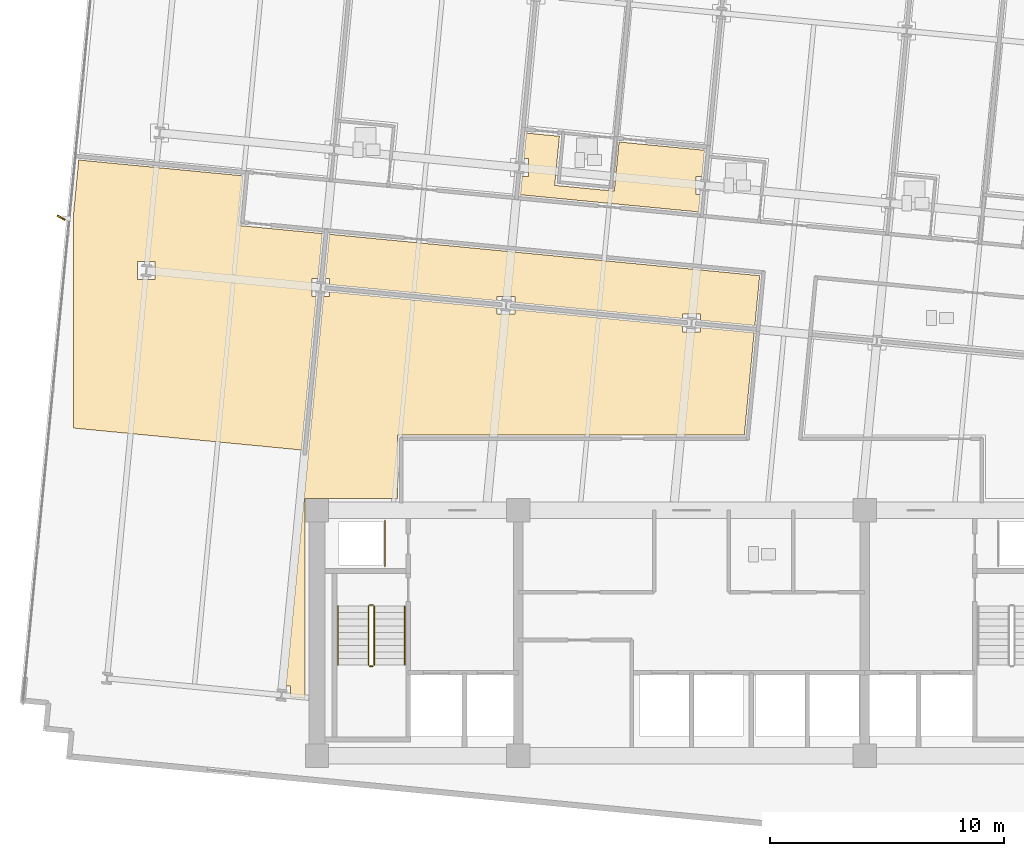
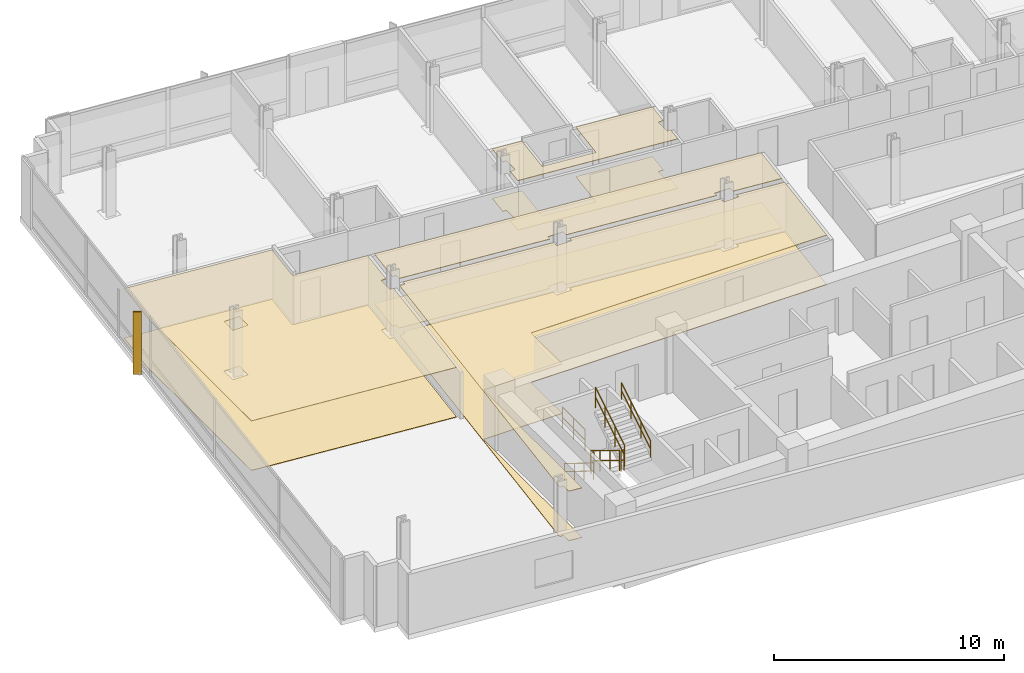
# One storey, part 14 of 17: 8 coverings, 7 railings, 1 shading device.
"""IFC4 building model written with IfcOpenShell, lengths in metres."""

from ifc_helpers import new_model, si_unit, direction, frame, origin, origin_2d, place, context, subcontext, project, spatial, polyline, rectangle, circle, outline, extrude, material, layer, layer_set, type_object, element, save


model = new_model("IFC4")

# Units and contexts
model_context = context("Model", 3, precision=1e-05, world=origin(), true_north=direction((0.0, 1.0)))
body_context = subcontext(model_context, "Body", "Model", "MODEL_VIEW")
ifc_project = project(units=[si_unit("LENGTHUNIT", "METRE"), si_unit("AREAUNIT", "SQUARE_METRE"), si_unit("VOLUMEUNIT", "CUBIC_METRE"), si_unit("PLANEANGLEUNIT", "RADIAN"), si_unit("MASSUNIT", "GRAM", prefix="KILO")], contexts=[model_context])

# Site, building, storey
site_placement = place(None, origin())
site = spatial("IfcSite", under=ifc_project, at=site_placement, CompositionType="ELEMENT")
building_placement = place(site_placement, origin())
building = spatial("IfcBuilding", under=site, at=building_placement, Name="Solmavex Isthmus Hotel", CompositionType="ELEMENT")
storey_placement = place(building_placement, frame((0.0, 0.0, 146.25)))
storey = spatial("IfcBuildingStorey", under=building, at=storey_placement, Name="L39", CompositionType="ELEMENT", Elevation=146.25)

# Coverings
ifc_material_1 = material(Name="Gypsum plasterboard lining", Category="gypsum")
ifc_layer_1 = layer(ifc_material_1, 0.030029296875)
ifc_layer_set_1 = layer_set([ifc_layer_1], Name="Gypsum plasterboard lining")
covering_type_1 = type_object("IfcCoveringType", Name="COV-CEIL-GYP", PredefinedType="CEILING", material=ifc_layer_set_1)
covering_1_placement = place(storey_placement, frame((0.0, 0.0, 2.6201171875)))
element("IfcCovering", 1, at=covering_1_placement, inside=storey, type_object=covering_type_1, Name="Suspended Acoustic Ceiling L39-ST03-FY", PredefinedType="CEILING", context=body_context, shape_type="SweptSolid", body=[
    extrude(outline(polyline([(-3.094482421875, 13.2255859375), (-3.296630859375, 11.12744140625), (-5.8447265625, 11.372802734375), (-5.642822265625, 13.470947265625), (-7.05419921875, 13.60693359375), (-7.159423828125, 12.513671875), (-6.971923828125, 12.513671875), (-6.971923828125, 11.753662109375), (-7.232666015625, 11.753662109375), (-7.30810546875, 10.97119140625), (0.302734375, 10.23828125), (0.375244140625, 10.9912109375), (0.1875, 10.9912109375), (0.1875, 11.751220703125), (0.448486328125, 11.751220703125), (0.556640625, 12.8740234375), (-3.094482421875, 13.2255859375)])), origin(), (0.0, 0.0, 1.0), 0.02978515625),
])
covering_2_placement = place(storey_placement, frame((0.0, 0.0, 2.6201171875)))
element("IfcCovering", 2, at=covering_2_placement, inside=storey, type_object=covering_type_1, Name="Suspended Acoustic Ceiling L39-FL09", PredefinedType="CEILING", context=body_context, shape_type="SweptSolid", body=[
    extrude(outline(polyline([(-0.378662109375, 5.6826171875), (-0.378662109375, 5.870361328125), (0.38134765625, 5.870361328125), (0.38134765625, 5.609375), (2.706787109375, 5.385498046875), (2.911865234375, 7.515625), (-15.463134765625, 9.284912109375), (-15.645263671875, 7.3955078125), (-15.45751953125, 7.3955078125), (-15.45751953125, 7.134521484375), (-8.298095703125, 6.445068359375), (-8.298095703125, 6.6328125), (-7.5380859375, 6.6328125), (-7.5380859375, 6.3720703125), (-0.378662109375, 5.6826171875)])), origin(), (0.0, 0.0, 1.0), 0.02978515625),
])
covering_3_placement = place(storey_placement, frame((0.0, 0.0, 2.6201171875)))
element("IfcCovering", 3, at=covering_3_placement, inside=storey, type_object=covering_type_1, Name="Suspended Acoustic Ceiling L39-FL12", PredefinedType="CEILING", context=body_context, shape_type="SweptSolid", body=[
    extrude(outline(polyline([(-16.02978515625, 6.635498046875), (-16.217529296875, 6.635498046875), (-16.217529296875, 7.3955078125), (-15.95654296875, 7.3955078125), (-15.771728515625, 9.314697265625), (-19.355224609375, 9.65966796875), (-19.151123046875, 11.780029296875), (-26.176513671875, 12.45654296875), (-26.39990234375, 10.135986328125), (-26.39990234375, 1.005126953125), (-16.662109375, 0.0673828125), (-16.02978515625, 6.635498046875)]), holes=[polyline([(-23.6708984375, 7.35302734375), (-23.6708984375, 8.113037109375), (-22.910888671875, 8.113037109375), (-22.910888671875, 7.35302734375), (-23.6708984375, 7.35302734375)])]), origin(), (0.0, 0.0, 1.0), 0.02978515625),
])
covering_4_placement = place(storey_placement, frame((0.0, 0.0, 2.6201171875)))
element("IfcCovering", 4, at=covering_4_placement, inside=storey, type_object=covering_type_1, Name="Suspended Acoustic Ceiling L39-FL13", PredefinedType="CEILING", context=body_context, shape_type="SweptSolid", body=[
    extrude(outline(polyline([(-17.322509765625, -10.02392578125), (-17.134765625, -10.02392578125), (-17.134765625, -10.48583984375), (-16.5048828125, -10.54638671875), (-16.5048828125, -1.9951171875), (-12.554931640625, -1.9951171875), (-12.554931640625, 0.705078125), (2.256103515625, 0.705078125), (2.677001953125, 5.076904296875), (0.38134765625, 5.298095703125), (0.38134765625, 5.1103515625), (-0.378662109375, 5.1103515625), (-0.378662109375, 5.37109375), (-7.5380859375, 6.060546875), (-7.5380859375, 5.872802734375), (-8.298095703125, 5.872802734375), (-8.298095703125, 6.1337890625), (-15.45751953125, 6.822998046875), (-15.45751953125, 6.635498046875), (-15.71826171875, 6.635498046875), (-17.322509765625, -10.02392578125)])), origin(), (0.0, 0.0, 1.0), 0.02978515625),
])
ifc_material_2 = material(Name="Travertine natural stone", Category="masonry")
ifc_layer_2 = layer(ifc_material_2, 0.02490234375)
ifc_layer_set_2 = layer_set([ifc_layer_2], Name="Travertine natural stone")
covering_type_2 = type_object("IfcCoveringType", Name="COV-FLOR-STN", PredefinedType="FLOORING", material=ifc_layer_set_2)
covering_5_placement = place(storey_placement, origin())
element("IfcCovering", 5, at=covering_5_placement, inside=storey, type_object=covering_type_2, Name="Stone and Timber Floor Finish L39-ST03-FY", PredefinedType="FLOORING", context=body_context, shape_type="SweptSolid", body=[
    extrude(outline(polyline([(-3.094482421875, 13.2255859375), (-3.296630859375, 11.12744140625), (-5.8447265625, 11.372802734375), (-5.642822265625, 13.470947265625), (-7.05419921875, 13.60693359375), (-7.159423828125, 12.513671875), (-6.971923828125, 12.513671875), (-6.971923828125, 11.753662109375), (-7.232666015625, 11.753662109375), (-7.30810546875, 10.97119140625), (0.302734375, 10.23828125), (0.375244140625, 10.9912109375), (0.1875, 10.9912109375), (0.1875, 11.751220703125), (0.448486328125, 11.751220703125), (0.556640625, 12.8740234375), (-3.094482421875, 13.2255859375)])), origin(), (0.0, 0.0, 1.0), 0.02490234375),
])
covering_6_placement = place(storey_placement, origin())
element("IfcCovering", 6, at=covering_6_placement, inside=storey, type_object=covering_type_2, Name="Stone and Timber Floor Finish L39-FL09", PredefinedType="FLOORING", context=body_context, shape_type="SweptSolid", body=[
    extrude(outline(polyline([(-0.378662109375, 5.6826171875), (-0.378662109375, 5.870361328125), (0.38134765625, 5.870361328125), (0.38134765625, 5.609375), (2.706787109375, 5.385498046875), (2.911865234375, 7.515625), (-15.463134765625, 9.284912109375), (-15.645263671875, 7.3955078125), (-15.45751953125, 7.3955078125), (-15.45751953125, 7.134521484375), (-8.298095703125, 6.445068359375), (-8.298095703125, 6.6328125), (-7.5380859375, 6.6328125), (-7.5380859375, 6.3720703125), (-0.378662109375, 5.6826171875)])), origin(), (0.0, 0.0, 1.0), 0.02490234375),
])
covering_7_placement = place(storey_placement, origin())
element("IfcCovering", 7, at=covering_7_placement, inside=storey, type_object=covering_type_2, Name="Stone and Timber Floor Finish L39-FL12", PredefinedType="FLOORING", context=body_context, shape_type="SweptSolid", body=[
    extrude(outline(polyline([(-16.02978515625, 6.635498046875), (-16.217529296875, 6.635498046875), (-16.217529296875, 7.3955078125), (-15.95654296875, 7.3955078125), (-15.771728515625, 9.314697265625), (-19.355224609375, 9.65966796875), (-19.151123046875, 11.780029296875), (-26.176513671875, 12.45654296875), (-26.39990234375, 10.135986328125), (-26.39990234375, 1.005126953125), (-16.662109375, 0.0673828125), (-16.02978515625, 6.635498046875)]), holes=[polyline([(-23.6708984375, 7.35302734375), (-23.6708984375, 8.113037109375), (-22.910888671875, 8.113037109375), (-22.910888671875, 7.35302734375), (-23.6708984375, 7.35302734375)])]), origin(), (0.0, 0.0, 1.0), 0.02490234375),
])
covering_8_placement = place(storey_placement, origin())
element("IfcCovering", 8, at=covering_8_placement, inside=storey, type_object=covering_type_2, Name="Stone and Timber Floor Finish L39-FL13", PredefinedType="FLOORING", context=body_context, shape_type="SweptSolid", body=[
    extrude(outline(polyline([(-17.322509765625, -10.02392578125), (-17.134765625, -10.02392578125), (-17.134765625, -10.48583984375), (-16.5048828125, -10.54638671875), (-16.5048828125, -1.9951171875), (-12.554931640625, -1.9951171875), (-12.554931640625, 0.705078125), (2.256103515625, 0.705078125), (2.677001953125, 5.076904296875), (0.38134765625, 5.298095703125), (0.38134765625, 5.1103515625), (-0.378662109375, 5.1103515625), (-0.378662109375, 5.37109375), (-7.5380859375, 6.060546875), (-7.5380859375, 5.872802734375), (-8.298095703125, 5.872802734375), (-8.298095703125, 6.1337890625), (-15.45751953125, 6.822998046875), (-15.45751953125, 6.635498046875), (-15.71826171875, 6.635498046875), (-17.322509765625, -10.02392578125)])), origin(), (0.0, 0.0, 1.0), 0.02490234375),
])

# Railings
ifc_material_3 = material(Name="Clear low-E laminated glass", Category="glass")
ifc_layer_3 = layer(ifc_material_3, 0.080078125)
ifc_layer_set_3 = layer_set([ifc_layer_3], Name="Clear low-E laminated glass")
railing_type_1 = type_object("IfcRailingType", Name="RAIL-ATRIUM-1120", PredefinedType="BALUSTRADE", material=ifc_layer_set_3)
railing_1_placement = place(storey_placement, frame((-13.10009765625, -4.89990234375, 0.0)))
element("IfcRailing", 9, at=railing_1_placement, inside=storey, type_object=railing_type_1, Name="Guardrail Balustrade L39-RSW-01", PredefinedType="BALUSTRADE", context=body_context, shape_type="SweptSolid", body=[
    extrude(circle(Radius=0.02392578125, at=origin_2d()), frame((0.0, 0.0, 1.1259765625), z_axis=(0.0, 1.0, 0.0), x_axis=(-1.0, 0.0, 0.0)), (0.0, 0.0, 1.0), 1.949951171875),
    extrude(circle(Radius=0.02392578125, at=origin_2d()), frame((0.0, 0.0, 0.574951171875), z_axis=(0.0, 1.0, 0.0), x_axis=(-1.0, 0.0, 0.0)), (0.0, 0.0, 1.0), 1.949951171875),
    extrude(circle(Radius=0.02099609375, at=origin_2d()), origin(), (0.0, 0.0, 1.0), 1.101806640625),
    extrude(circle(Radius=0.02099609375, at=origin_2d()), frame((0.0, 0.97509765625, 0.0)), (0.0, 0.0, 1.0), 1.101806640625),
    extrude(circle(Radius=0.02099609375, at=origin_2d()), frame((0.0, 1.949951171875, 0.0)), (0.0, 0.0, 1.0), 1.101806640625),
])
ifc_material_4 = material(Name="Stainless steel 316", Category="steel")
ifc_layer_4 = layer(ifc_material_4, 0.06005859375)
ifc_layer_set_4 = layer_set([ifc_layer_4], Name="Stainless steel 316")
railing_type_2 = type_object("IfcRailingType", Name="RAIL-STAIR-GD", PredefinedType="GUARDRAIL", material=ifc_layer_set_4)
railing_2_placement = place(storey_placement, frame((-13.800048828125, -6.60009765625, 0.172607421875)))
element("IfcRailing", 10, at=railing_2_placement, inside=storey, type_object=railing_type_2, Name="L39 ST-1 stair guard 1", PredefinedType="GUARDRAIL", context=body_context, shape_type="SweptSolid", body=[
    extrude(circle(Radius=0.02392578125, at=origin_2d()), frame((0.0, 0.0, 1.09619140625), z_axis=(0.0, -0.851400495292, 0.524516154772), x_axis=(1.0, 0.0, 0.0)), (0.0, 0.0, 1.0), 2.9599609375),
    extrude(circle(Radius=0.02392578125, at=origin_2d()), frame((0.0, 0.0, 0.56005859375), z_axis=(0.0, -0.851400495292, 0.524516154772), x_axis=(1.0, 0.0, 0.0)), (0.0, 0.0, 1.0), 2.9599609375),
    extrude(circle(Radius=0.02099609375, at=origin_2d()), origin(), (0.0, 0.0, 1.0), 1.072021484375),
    extrude(circle(Radius=0.02099609375, at=origin_2d()), frame((0.0, -0.840087890625, 0.517578125)), (0.0, 0.0, 1.0), 1.072021484375),
    extrude(circle(Radius=0.02099609375, at=origin_2d()), frame((0.0, -1.679931640625, 1.034912109375)), (0.0, 0.0, 1.0), 1.072021484375),
    extrude(circle(Radius=0.02099609375, at=origin_2d()), frame((0.0, -2.52001953125, 1.552490234375)), (0.0, 0.0, 1.0), 1.072021484375),
])
railing_3_placement = place(storey_placement, frame((-13.75, -9.169921875, 1.72509765625)))
element("IfcRailing", 11, at=railing_3_placement, inside=storey, type_object=railing_type_2, Name="L39 ST-1 stair guard 2", PredefinedType="GUARDRAIL", context=body_context, shape_type="SweptSolid", body=[
    extrude(circle(Radius=0.02392578125, at=origin_2d()), frame((0.0, 0.0, 1.09619140625), z_axis=(1.0, 0.0, 0.0), x_axis=(0.0, 1.0, 0.0)), (0.0, 0.0, 1.0), 0.14990234375),
    extrude(circle(Radius=0.02392578125, at=origin_2d()), frame((0.0, 0.0, 0.56005859375), z_axis=(1.0, 0.0, 0.0), x_axis=(0.0, 1.0, 0.0)), (0.0, 0.0, 1.0), 0.14990234375),
    extrude(circle(Radius=0.02099609375, at=origin_2d()), origin(), (0.0, 0.0, 1.0), 1.072021484375),
    extrude(circle(Radius=0.02099609375, at=origin_2d()), frame((0.14990234375, 0.0, 0.0)), (0.0, 0.0, 1.0), 1.072021484375),
])
railing_4_placement = place(storey_placement, frame((-13.550048828125, -9.1201171875, 1.8974609375)))
element("IfcRailing", 12, at=railing_4_placement, inside=storey, type_object=railing_type_2, Name="L39 ST-1 stair guard 3", PredefinedType="GUARDRAIL", context=body_context, shape_type="SweptSolid", body=[
    extrude(circle(Radius=0.02392578125, at=origin_2d()), frame((0.0, 0.0, 1.09619140625), z_axis=(0.0, 0.851400495292, 0.524516154772), x_axis=(-1.0, 0.0, 0.0)), (0.0, 0.0, 1.0), 2.9599609375),
    extrude(circle(Radius=0.02392578125, at=origin_2d()), frame((0.0, 0.0, 0.56005859375), z_axis=(0.0, 0.851400495292, 0.524516154772), x_axis=(-1.0, 0.0, 0.0)), (0.0, 0.0, 1.0), 2.9599609375),
    extrude(circle(Radius=0.02099609375, at=origin_2d()), origin(), (0.0, 0.0, 1.0), 1.072021484375),
    extrude(circle(Radius=0.02099609375, at=origin_2d()), frame((0.0, 0.840087890625, 0.517578125)), (0.0, 0.0, 1.0), 1.072021484375),
    extrude(circle(Radius=0.02099609375, at=origin_2d()), frame((0.0, 1.679931640625, 1.034912109375)), (0.0, 0.0, 1.0), 1.072021484375),
    extrude(circle(Radius=0.02099609375, at=origin_2d()), frame((0.0, 2.52001953125, 1.552490234375)), (0.0, 0.0, 1.0), 1.072021484375),
])
railing_5_placement = place(storey_placement, frame((-13.75, -6.550048828125, 0.0)))
element("IfcRailing", 13, at=railing_5_placement, inside=storey, type_object=railing_type_2, Name="L39 ST-1 stair guard 4", PredefinedType="GUARDRAIL", context=body_context, shape_type="SweptSolid", body=[
    extrude(circle(Radius=0.02392578125, at=origin_2d()), frame((0.0, 0.0, 1.09619140625), z_axis=(1.0, 0.0, 0.0), x_axis=(0.0, 1.0, 0.0)), (0.0, 0.0, 1.0), 0.14990234375),
    extrude(circle(Radius=0.02392578125, at=origin_2d()), frame((0.0, 0.0, 0.56005859375), z_axis=(1.0, 0.0, 0.0), x_axis=(0.0, 1.0, 0.0)), (0.0, 0.0, 1.0), 0.14990234375),
    extrude(circle(Radius=0.02099609375, at=origin_2d()), origin(), (0.0, 0.0, 1.0), 1.072021484375),
    extrude(circle(Radius=0.02099609375, at=origin_2d()), frame((0.14990234375, 0.0, 0.0)), (0.0, 0.0, 1.0), 1.072021484375),
])
ifc_layer_5 = layer(ifc_material_4, 0.050048828125)
ifc_layer_set_5 = layer_set([ifc_layer_5], Name="Stainless steel 316")
railing_type_3 = type_object("IfcRailingType", Name="RAIL-STAIR-HR", PredefinedType="HANDRAIL", material=ifc_layer_set_5)
railing_6_placement = place(storey_placement, frame((-15.10009765625, -6.60009765625, 0.172607421875)))
element("IfcRailing", 14, at=railing_6_placement, inside=storey, type_object=railing_type_3, Name="L39 ST-1 stair handrail 1", PredefinedType="HANDRAIL", context=body_context, shape_type="SweptSolid", body=[
    extrude(circle(Radius=0.02392578125, at=origin_2d()), frame((0.0, 0.0, 0.8759765625), z_axis=(0.0, -0.851400495292, 0.524516154772), x_axis=(1.0, 0.0, 0.0)), (0.0, 0.0, 1.0), 2.9599609375),
    extrude(circle(Radius=0.02392578125, at=origin_2d()), frame((0.0, 0.0, 0.449951171875), z_axis=(0.0, -0.851400495292, 0.524516154772), x_axis=(1.0, 0.0, 0.0)), (0.0, 0.0, 1.0), 2.9599609375),
    extrude(circle(Radius=0.02099609375, at=origin_2d()), origin(), (0.0, 0.0, 1.0), 0.851806640625),
    extrude(circle(Radius=0.02099609375, at=origin_2d()), frame((0.0, -0.840087890625, 0.517578125)), (0.0, 0.0, 1.0), 0.851806640625),
    extrude(circle(Radius=0.02099609375, at=origin_2d()), frame((0.0, -1.679931640625, 1.034912109375)), (0.0, 0.0, 1.0), 0.851806640625),
    extrude(circle(Radius=0.02099609375, at=origin_2d()), frame((0.0, -2.52001953125, 1.552490234375)), (0.0, 0.0, 1.0), 0.851806640625),
])
railing_7_placement = place(storey_placement, frame((-12.25, -9.1201171875, 1.8974609375)))
element("IfcRailing", 15, at=railing_7_placement, inside=storey, type_object=railing_type_3, Name="L39 ST-1 stair handrail 2", PredefinedType="HANDRAIL", context=body_context, shape_type="SweptSolid", body=[
    extrude(circle(Radius=0.02392578125, at=origin_2d()), frame((0.0, 0.0, 0.8759765625), z_axis=(0.0, 0.851400495292, 0.524516154772), x_axis=(-1.0, 0.0, 0.0)), (0.0, 0.0, 1.0), 2.9599609375),
    extrude(circle(Radius=0.02392578125, at=origin_2d()), frame((0.0, 0.0, 0.449951171875), z_axis=(0.0, 0.851400495292, 0.524516154772), x_axis=(-1.0, 0.0, 0.0)), (0.0, 0.0, 1.0), 2.9599609375),
    extrude(circle(Radius=0.02099609375, at=origin_2d()), origin(), (0.0, 0.0, 1.0), 0.851806640625),
    extrude(circle(Radius=0.02099609375, at=origin_2d()), frame((0.0, 0.840087890625, 0.517578125)), (0.0, 0.0, 1.0), 0.851806640625),
    extrude(circle(Radius=0.02099609375, at=origin_2d()), frame((0.0, 1.679931640625, 1.034912109375)), (0.0, 0.0, 1.0), 0.851806640625),
    extrude(circle(Radius=0.02099609375, at=origin_2d()), frame((0.0, 2.52001953125, 1.552490234375)), (0.0, 0.0, 1.0), 0.851806640625),
])

# Shading device
ifc_material_5 = material(Name="Aluminium alloy 6063-T6", Category="aluminium")
shading_device_type = type_object("IfcShadingDeviceType", Name="SHD-FIN-CHAMP", PredefinedType="USERDEFINED", material=ifc_material_5)
shading_device_placement = place(storey_placement, frame((-26.93115234375, 9.992431640625, -0.14013671875), z_axis=(0.0, 0.0, 1.0), x_axis=(-0.87035569594, 0.492423560103, 0.0)))
element("IfcShadingDevice", 16, at=shading_device_placement, inside=storey, type_object=shading_device_type, Name="Anodised Aluminium Solar Fin L39-W1", ObjectType="SOLAR_FIN", PredefinedType="USERDEFINED", context=body_context, shape_type="SweptSolid", body=[
    extrude(rectangle(XDim=0.3798828125, YDim=0.070068359375, at=origin_2d()), origin(), (0.0, 0.0, 1.0), 3.330078125),
])

save(model, "model.ifc")
